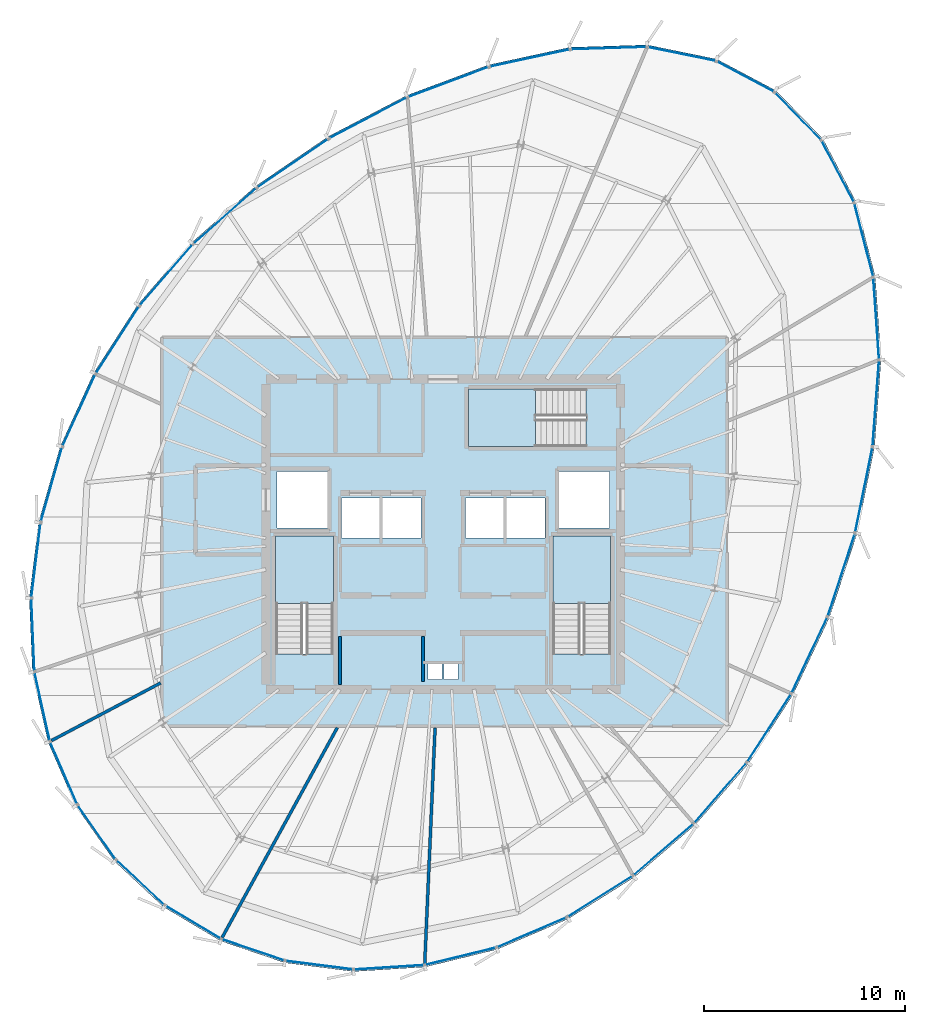
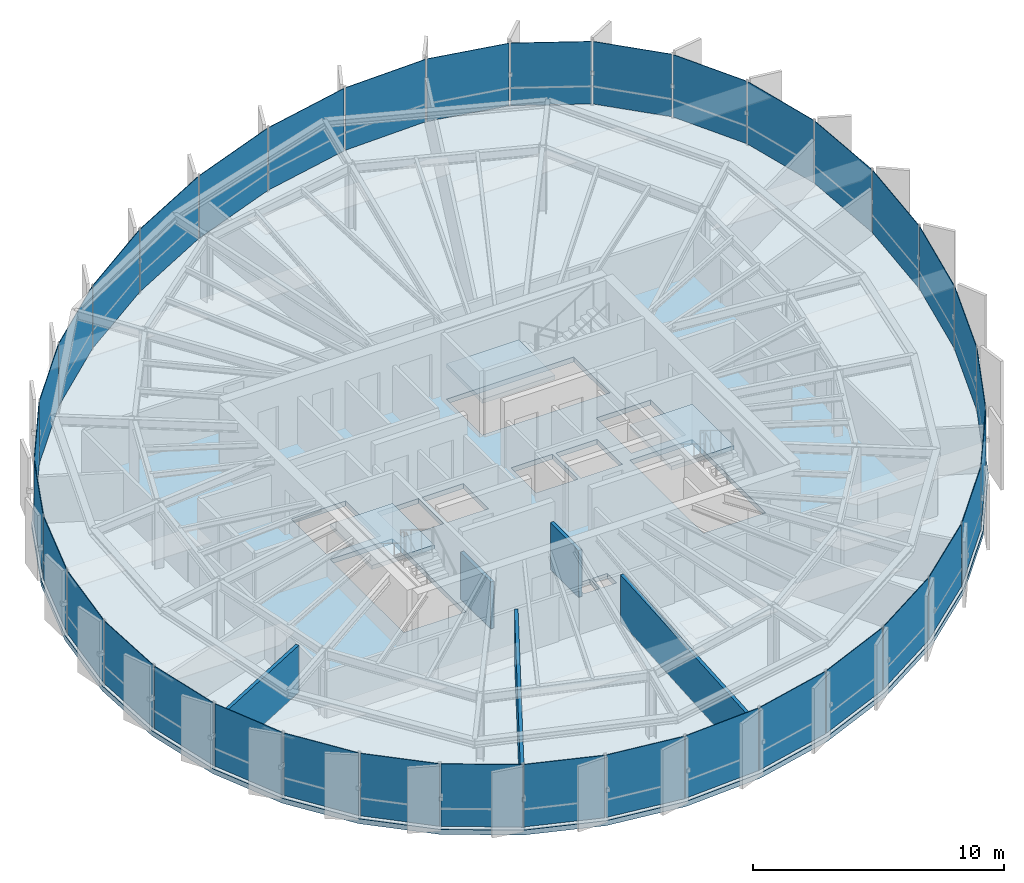
# One storey, part 28 of 35: 36 plates, 5 walls, 4 slabs, 9 elements without a shape of their own.
"""IFC4 building model written with IfcOpenShell, lengths in metres."""

from ifc_helpers import new_model, si_unit, direction, frame, frame_2d, origin, origin_2d, place, context, subcontext, project, spatial, polyline, rectangle, outline, extrude, source, transform, mapped, material, layer, layer_set, type_object, element, aggregate, save


model = new_model("IFC4")

# Units and contexts
model_context = context("Model", 3, precision=1e-05, world=origin(), true_north=direction((0.0, 1.0)))
body_context = subcontext(model_context, "Body", "Model", "MODEL_VIEW")
ifc_project = project(units=[si_unit("LENGTHUNIT", "METRE"), si_unit("AREAUNIT", "SQUARE_METRE"), si_unit("VOLUMEUNIT", "CUBIC_METRE"), si_unit("PLANEANGLEUNIT", "RADIAN"), si_unit("MASSUNIT", "GRAM", prefix="KILO"), si_unit("THERMODYNAMICTEMPERATUREUNIT", "KELVIN")], contexts=[model_context])

# Site, building, storey
site_placement = place(None, origin())
site = spatial("IfcSite", under=ifc_project, at=site_placement, CompositionType="ELEMENT")
building_placement = place(site_placement, origin())
building = spatial("IfcBuilding", under=site, at=building_placement, Name="Kethvar Cultural Tower", CompositionType="ELEMENT")
storey_placement = place(building_placement, frame((0.0, 0.0, 249.10009765625)))
storey = spatial("IfcBuildingStorey", under=building, at=storey_placement, Name="L65", CompositionType="ELEMENT", Elevation=249.10009765625)

# Stair, slab
ifc_material_1 = material(Name="Concrete C40/50", Category="concrete")
stair_type = type_object("IfcStairType", Name="ST-DOGLEG-135", PredefinedType="HALF_TURN_STAIR", material=ifc_material_1)
stair_1_placement = place(storey_placement, origin())
stair_1 = element("IfcStair", 1, at=stair_1_placement, inside=storey, type_object=stair_type, Name="L65 Core Exit Stair 1", PredefinedType="HALF_TURN_STAIR")
ifc_layer_1 = layer(ifc_material_1, 0.199951171875, Name="Concrete C40/50", Category="concrete")
ifc_layer_set_1 = layer_set([ifc_layer_1], Name="Concrete C40/50 (200 mm)")
slab_type_1 = type_object("IfcSlabType", Name="SL-STAIR-LANDING-200", PredefinedType="LANDING", material=ifc_layer_set_1)
slab_1_placement = place(storey_placement, frame((0.0, 0.0, 1.52490234375)))
slab_1 = element("IfcSlab", 2, at=slab_1_placement, type_object=slab_type_1, Name="ST-01 landing 1", PredefinedType="LANDING", context=body_context, shape_type="SweptSolid", body=[
    extrude(outline(polyline([(41.35009765625, 24.3701171875), (41.35009765625, 27.699951171875), (38.489990234375, 27.699951171875), (38.489990234375, 24.3701171875), (41.35009765625, 24.3701171875)])), origin(), (0.0, 0.0, 1.0), 0.199951171875),
])
aggregate(stair_1, [slab_1])

stair_2_placement = place(storey_placement, origin())
stair_2 = element("IfcStair", 3, at=stair_2_placement, inside=storey, type_object=stair_type, Name="L65 Core Exit Stair 2", PredefinedType="HALF_TURN_STAIR")
slab_2_placement = place(storey_placement, frame((0.0, 0.0, 1.52490234375)))
slab_2 = element("IfcSlab", 4, at=slab_2_placement, type_object=slab_type_1, Name="ST-02 landing 1", PredefinedType="LANDING", context=body_context, shape_type="SweptSolid", body=[
    extrude(outline(polyline([(55.110107421875, 24.3701171875), (55.110107421875, 27.699951171875), (52.25, 27.699951171875), (52.25, 24.3701171875), (55.110107421875, 24.3701171875)])), origin(), (0.0, 0.0, 1.0), 0.199951171875),
])
aggregate(stair_2, [slab_2])

stair_3_placement = place(storey_placement, origin())
stair_3 = element("IfcStair", 5, at=stair_3_placement, inside=storey, type_object=stair_type, Name="L65 Core Exit Stair 3", PredefinedType="HALF_TURN_STAIR")
slab_3_placement = place(storey_placement, frame((0.0, 0.0, 1.52490234375)))
slab_3 = element("IfcSlab", 6, at=slab_3_placement, type_object=slab_type_1, Name="ST-03 landing 1", PredefinedType="LANDING", context=body_context, shape_type="SweptSolid", body=[
    extrude(outline(polyline([(51.3798828125, 35.010009765625), (48.050048828125, 35.010009765625), (48.050048828125, 32.14990234375), (51.3798828125, 32.14990234375), (51.3798828125, 35.010009765625)])), origin(), (0.0, 0.0, 1.0), 0.199951171875),
])
aggregate(stair_3, [slab_3])

# Slab
ifc_layer_2 = layer(ifc_material_1, 0.239990234375, Name="Concrete C40/50", Category="concrete")
ifc_layer_set_2 = layer_set([ifc_layer_2], Name="Concrete C40/50 (240 mm)")
slab_type_2 = type_object("IfcSlabType", Name="SL-TOW-240", PredefinedType="FLOOR", material=ifc_layer_set_2)
slab_4_placement = place(storey_placement, frame((0.0, 0.0, -0.239990234375)))
element("IfcSlab", 7, at=slab_4_placement, inside=storey, type_object=slab_type_2, Name="L65 Structural Floor Slab", PredefinedType="FLOOR", context=body_context, shape_type="SweptSolid", body=[
    extrude(outline(polyline([(63.328369140625, 49.813720703125), (60.38525390625, 51.377197265625), (56.9248046875, 52.0849609375), (53.089111328125, 51.96484375), (49.048583984375, 51.092529296875), (44.986572265625, 49.574462890625), (41.079833984375, 47.528076171875), (37.48291015625, 45.063720703125), (34.313232421875, 42.2666015625), (31.63818359375, 39.18359375), (29.457275390625, 35.79931640625), (27.80322265625, 32.171630859375), (26.726318359375, 28.4111328125), (26.259521484375, 24.632080078125), (26.41650390625, 20.949462890625), (27.193115234375, 17.474853515625), (28.5654296875, 14.31396484375), (30.49169921875, 11.562744140625), (32.91357421875, 9.304931640625), (35.75732421875, 7.609375), (38.9365234375, 6.527099609375), (42.35498046875, 6.091064453125), (45.908203125, 6.314697265625), (49.488525390625, 7.191162109375), (52.9873046875, 8.69384765625), (56.2978515625, 10.777099609375), (59.320068359375, 13.377685546875), (61.961669921875, 16.416259765625), (64.17578125, 19.844970703125), (65.9775390625, 23.669189453125), (67.340576171875, 27.810791015625), (68.2158203125, 32.133544921875), (68.540283203125, 36.457763671875), (68.250732421875, 40.5810546875), (67.2958984375, 44.298095703125), (65.65087890625, 47.423583984375), (63.328369140625, 49.813720703125)]), holes=[polyline([(38.489990234375, 21.85009765625), (38.489990234375, 27.699951171875), (41.35009765625, 27.699951171875), (41.35009765625, 21.85009765625), (38.489990234375, 21.85009765625)]), polyline([(52.25, 21.85009765625), (52.25, 27.699951171875), (55.110107421875, 27.699951171875), (55.110107421875, 21.85009765625), (52.25, 21.85009765625)]), polyline([(53.89990234375, 32.14990234375), (48.050048828125, 32.14990234375), (48.050048828125, 35.010009765625), (53.89990234375, 35.010009765625), (53.89990234375, 32.14990234375)]), polyline([(41.75, 29.60009765625), (43.64990234375, 29.60009765625), (43.64990234375, 27.60009765625), (41.75, 27.60009765625), (41.75, 29.60009765625)]), polyline([(43.800048828125, 29.60009765625), (45.699951171875, 29.60009765625), (45.699951171875, 27.60009765625), (43.800048828125, 27.60009765625), (43.800048828125, 29.60009765625)]), polyline([(47.89990234375, 29.60009765625), (49.800048828125, 29.60009765625), (49.800048828125, 27.60009765625), (47.89990234375, 27.60009765625), (47.89990234375, 29.60009765625)]), polyline([(49.949951171875, 29.60009765625), (51.85009765625, 29.60009765625), (51.85009765625, 27.60009765625), (49.949951171875, 27.60009765625), (49.949951171875, 29.60009765625)]), polyline([(38.550048828125, 30.89990234375), (41.050048828125, 30.89990234375), (41.050048828125, 28.10009765625), (38.550048828125, 28.10009765625), (38.550048828125, 30.89990234375)]), polyline([(52.550048828125, 30.89990234375), (55.050048828125, 30.89990234375), (55.050048828125, 28.10009765625), (52.550048828125, 28.10009765625), (52.550048828125, 30.89990234375)]), polyline([(46.050048828125, 21.35009765625), (46.75, 21.35009765625), (46.75, 20.60009765625), (46.050048828125, 20.60009765625), (46.050048828125, 21.35009765625)]), polyline([(46.85009765625, 21.35009765625), (47.550048828125, 21.35009765625), (47.550048828125, 20.60009765625), (46.85009765625, 20.60009765625), (46.85009765625, 21.35009765625)])]), origin(), (0.0, 0.0, 1.0), 0.239990234375),
])

# Curtain wall, plate
ifc_material_2 = material(Name="Aluminium 6063-T6", Category="aluminium")
ifc_layer_3 = layer(ifc_material_2, 0.179931640625, Name="Aluminium 6063-T6", Category="aluminium")
ifc_layer_set_3 = layer_set([ifc_layer_3], Name="Aluminium 6063-T6 (180 mm)")
curtain_wall_type = type_object("IfcCurtainWallType", Name="CW-SYS-05-Z56", PredefinedType="NOTDEFINED", material=ifc_layer_set_3)
curtain_wall_1_placement = place(storey_placement, origin())
curtain_wall_1 = element("IfcCurtainWall", 8, at=curtain_wall_1_placement, inside=storey, type_object=curtain_wall_type, Name="L65 Curtain Wall Run 01", PredefinedType="NOTDEFINED")
ifc_material_3 = material(Name="Insulated Low-E Solar Glass", Category="glass")
ifc_layer_4 = layer(ifc_material_3, 0.028076171875, Name="Insulated Low-E Solar Glass", Category="glass")
ifc_layer_set_4 = layer_set([ifc_layer_4], Name="Insulated Low-E Solar Glass (28 mm)")
plate_type = type_object("IfcPlateType", Name="CW-SYS-05-Z56-PNL", PredefinedType="CURTAIN_PANEL", material=ifc_layer_set_4)
shared_shape_1 = source(origin(), body_context, "Body", "SweptSolid", [
    extrude(rectangle(XDim=3.25341796875, YDim=0.028076171875, at=origin_2d()), origin(), (0.0, 0.0, 1.0), 3.030029296875),
])
plate_1_placement = place(storey_placement, frame((61.809814453125, 50.507080078125, 0.08984375), z_axis=(0.0, 0.0, 1.0), x_axis=(-0.883103226974, 0.469178740468, 0.0)))
plate_1 = element("IfcPlate", 9, at=plate_1_placement, type_object=plate_type, Name="CW-L65-R01 Vision Glazing Panel 1", PredefinedType="CURTAIN_PANEL", context=body_context, shape_type="MappedRepresentation", body=[
    mapped(shared_shape_1, transform((0.0, 0.0, 0.0), scale=1.0)),
])

curtain_wall_2_placement = place(storey_placement, origin())
curtain_wall_2 = element("IfcCurtainWall", 10, at=curtain_wall_2_placement, inside=storey, type_object=curtain_wall_type, Name="L65 Curtain Wall Run 06", PredefinedType="NOTDEFINED")
plate_2_placement = place(storey_placement, frame((64.41796875, 48.548828125, 0.08984375), z_axis=(0.0, 0.0, 1.0), x_axis=(-0.696939844345, 0.717129593145, 0.0)))
plate_2 = element("IfcPlate", 11, at=plate_2_placement, type_object=plate_type, Name="CW-L65-R06 Vision Glazing Panel 6", PredefinedType="CURTAIN_PANEL", context=body_context, shape_type="MappedRepresentation", body=[
    mapped(shared_shape_1, transform((0.0, 0.0, 0.0), scale=1.0)),
])

# Plate
shared_shape_2 = source(origin(), body_context, "Body", "SweptSolid", [
    extrude(rectangle(XDim=3.452880859375, YDim=0.028076171875, at=origin_2d()), origin(), (0.0, 0.0, 1.0), 3.030029296875),
])
plate_3_placement = place(storey_placement, frame((58.635009765625, 51.633056640625, 0.08984375), z_axis=(0.0, 0.0, 1.0), x_axis=(-0.979722384216, 0.200359801024, 0.0)))
plate_3 = element("IfcPlate", 12, at=plate_3_placement, type_object=plate_type, Name="CW-L65-R01 Vision Glazing Panel 2", PredefinedType="CURTAIN_PANEL", context=body_context, shape_type="MappedRepresentation", body=[
    mapped(shared_shape_2, transform((0.0, 0.0, 0.0), scale=1.0)),
])

plate_4_placement = place(storey_placement, frame((66.385009765625, 45.814208984375, 0.08984375), z_axis=(0.0, 0.0, 1.0), x_axis=(-0.465722638487, 0.884930745313, 0.0)))
plate_4 = element("IfcPlate", 13, at=plate_4_placement, type_object=plate_type, Name="CW-L65-R06 Vision Glazing Panel 5", PredefinedType="CURTAIN_PANEL", context=body_context, shape_type="MappedRepresentation", body=[
    mapped(shared_shape_2, transform((0.0, 0.0, 0.0), scale=1.0)),
])

shared_shape_3 = source(origin(), body_context, "Body", "SweptSolid", [
    extrude(rectangle(XDim=3.75830078125, YDim=0.028076171875, at=origin_2d()), origin(), (0.0, 0.0, 1.0), 3.030029296875),
])
plate_5_placement = place(storey_placement, frame((55.010009765625, 51.9248046875, 0.08984375), z_axis=(0.0, 0.0, 1.0), x_axis=(-0.999510390454, -0.031288646081, 0.0)))
plate_5 = element("IfcPlate", 14, at=plate_5_placement, type_object=plate_type, Name="CW-L65-R01 Vision Glazing Panel 3", PredefinedType="CURTAIN_PANEL", context=body_context, shape_type="MappedRepresentation", body=[
    mapped(shared_shape_3, transform((0.0, 0.0, 0.0), scale=1.0)),
])

plate_6_placement = place(storey_placement, frame((67.676513671875, 42.414794921875, 0.08984375), z_axis=(0.0, 0.0, 1.0), x_axis=(-0.248808220065, 0.968552770699, 0.0)))
plate_6 = element("IfcPlate", 15, at=plate_6_placement, type_object=plate_type, Name="CW-L65-R06 Vision Glazing Panel 4", PredefinedType="CURTAIN_PANEL", context=body_context, shape_type="MappedRepresentation", body=[
    mapped(shared_shape_3, transform((0.0, 0.0, 0.0), scale=1.0)),
])

shared_shape_4 = source(origin(), body_context, "Body", "SweptSolid", [
    extrude(rectangle(XDim=4.05419921875, YDim=0.028076171875, at=origin_2d()), origin(), (0.0, 0.0, 1.0), 3.030029296875),
])
plate_7_placement = place(storey_placement, frame((51.090087890625, 51.430908203125, 0.08984375), z_axis=(0.0, 0.0, 1.0), x_axis=(-0.977478552591, -0.211034782024, 0.0)))
plate_7 = element("IfcPlate", 16, at=plate_7_placement, type_object=plate_type, Name="CW-L65-R01 Vision Glazing Panel 4", PredefinedType="CURTAIN_PANEL", context=body_context, shape_type="MappedRepresentation", body=[
    mapped(shared_shape_4, transform((0.0, 0.0, 0.0), scale=1.0)),
])

plate_8_placement = place(storey_placement, frame((68.295654296875, 38.512451171875, 0.08984375), z_axis=(0.0, 0.0, 1.0), x_axis=(-0.070035043455, 0.997544531682, 0.0)))
plate_8 = element("IfcPlate", 17, at=plate_8_placement, type_object=plate_type, Name="CW-L65-R06 Vision Glazing Panel 3", PredefinedType="CURTAIN_PANEL", context=body_context, shape_type="MappedRepresentation", body=[
    mapped(shared_shape_4, transform((0.0, 0.0, 0.0), scale=1.0)),
])

shared_shape_5 = source(origin(), body_context, "Body", "SweptSolid", [
    extrude(rectangle(XDim=4.25732421875, YDim=0.028076171875, at=origin_2d()), origin(), (0.0, 0.0, 1.0), 3.030029296875),
])
plate_9_placement = place(storey_placement, frame((47.052490234375, 50.23974609375, 0.08984375), z_axis=(0.0, 0.0, 1.0), x_axis=(-0.936721078293, -0.350076593736, 0.0)))
plate_9 = element("IfcPlate", 18, at=plate_9_placement, type_object=plate_type, Name="CW-L65-R01 Vision Glazing Panel 5", PredefinedType="CURTAIN_PANEL", context=body_context, shape_type="MappedRepresentation", body=[
    mapped(shared_shape_5, transform((0.0, 0.0, 0.0), scale=1.0)),
])

shared_shape_6 = source(origin(), body_context, "Body", "SweptSolid", [
    extrude(rectangle(XDim=4.3310546875, YDim=0.028076171875, at=origin_2d()), origin(), (0.0, 0.0, 1.0), 3.030029296875),
])
plate_10_placement = place(storey_placement, frame((43.07958984375, 48.462646484375, 0.08984375), z_axis=(0.0, 0.0, 1.0), x_axis=(-0.885839434086, -0.46399191482, 0.0)))
plate_10 = element("IfcPlate", 19, at=plate_10_placement, type_object=plate_type, Name="CW-L65-R01 Vision Glazing Panel 6", PredefinedType="CURTAIN_PANEL", context=body_context, shape_type="MappedRepresentation", body=[
    mapped(shared_shape_6, transform((0.0, 0.0, 0.0), scale=1.0)),
])

aggregate(curtain_wall_1, [plate_1, plate_3, plate_5, plate_7, plate_9, plate_10])

plate_11_placement = place(storey_placement, frame((67.68017578125, 29.991943359375, 0.08984375), z_axis=(0.0, 0.0, 1.0), x_axis=(0.198427182518, 0.980115632585, 0.0)))
plate_11 = element("IfcPlate", 20, at=plate_11_placement, type_object=plate_type, Name="CW-L65-R06 Vision Glazing Panel 1", PredefinedType="CURTAIN_PANEL", context=body_context, shape_type="MappedRepresentation", body=[
    mapped(shared_shape_6, transform((0.0, 0.0, 0.0), scale=1.0)),
])

# Curtain wall, plate
curtain_wall_3_placement = place(storey_placement, origin())
curtain_wall_3 = element("IfcCurtainWall", 21, at=curtain_wall_3_placement, inside=storey, type_object=curtain_wall_type, Name="L65 Curtain Wall Run 02", PredefinedType="NOTDEFINED")
shared_shape_7 = source(origin(), body_context, "Body", "SweptSolid", [
    extrude(rectangle(XDim=4.281005859375, YDim=0.028076171875, at=origin_2d()), origin(), (0.0, 0.0, 1.0), 3.030029296875),
])
plate_12_placement = place(storey_placement, frame((39.337890625, 46.21337890625, 0.08984375), z_axis=(0.0, 0.0, 1.0), x_axis=(-0.824945832877, -0.565211794656, 0.0)))
plate_12 = element("IfcPlate", 22, at=plate_12_placement, type_object=plate_type, Name="CW-L65-R02 Vision Glazing Panel 1", PredefinedType="CURTAIN_PANEL", context=body_context, shape_type="MappedRepresentation", body=[
    mapped(shared_shape_7, transform((0.0, 0.0, 0.0), scale=1.0)),
])

curtain_wall_4_placement = place(storey_placement, origin())
curtain_wall_4 = element("IfcCurtainWall", 23, at=curtain_wall_4_placement, inside=storey, type_object=curtain_wall_type, Name="L65 Curtain Wall Run 05", PredefinedType="NOTDEFINED")
plate_13_placement = place(storey_placement, frame((66.564208984375, 25.771240234375, 0.08984375), z_axis=(0.0, 0.0, 1.0), x_axis=(0.312616767142, 0.949879338075, 0.0)))
plate_13 = element("IfcPlate", 24, at=plate_13_placement, type_object=plate_type, Name="CW-L65-R05 Vision Glazing Panel 6", PredefinedType="CURTAIN_PANEL", context=body_context, shape_type="MappedRepresentation", body=[
    mapped(shared_shape_7, transform((0.0, 0.0, 0.0), scale=1.0)),
])

# Plate
shared_shape_8 = source(origin(), body_context, "Body", "SweptSolid", [
    extrude(rectangle(XDim=4.14794921875, YDim=0.028076171875, at=origin_2d()), origin(), (0.0, 0.0, 1.0), 3.030029296875),
])
plate_14_placement = place(storey_placement, frame((35.964111328125, 43.590087890625, 0.08984375), z_axis=(0.0, 0.0, 1.0), x_axis=(-0.74979935048, -0.661665273397, 0.0)))
plate_14 = element("IfcPlate", 25, at=plate_14_placement, type_object=plate_type, Name="CW-L65-R02 Vision Glazing Panel 2", PredefinedType="CURTAIN_PANEL", context=body_context, shape_type="MappedRepresentation", body=[
    mapped(shared_shape_8, transform((0.0, 0.0, 0.0), scale=1.0)),
])

shared_shape_9 = source(origin(), body_context, "Body", "SweptSolid", [
    extrude(rectangle(XDim=4.00244140625, YDim=0.028076171875, at=origin_2d()), origin(), (0.0, 0.0, 1.0), 3.030029296875),
])
plate_15_placement = place(storey_placement, frame((33.05126953125, 40.65966796875, 0.08984375), z_axis=(0.0, 0.0, 1.0), x_axis=(-0.65536062355, -0.755316127923, 0.0)))
plate_15 = element("IfcPlate", 26, at=plate_15_placement, type_object=plate_type, Name="CW-L65-R02 Vision Glazing Panel 3", PredefinedType="CURTAIN_PANEL", context=body_context, shape_type="MappedRepresentation", body=[
    mapped(shared_shape_9, transform((0.0, 0.0, 0.0), scale=1.0)),
])

shared_shape_10 = source(origin(), body_context, "Body", "SweptSolid", [
    extrude(rectangle(XDim=3.947021484375, YDim=0.028076171875, at=origin_2d()), origin(), (0.0, 0.0, 1.0), 3.030029296875),
])
plate_16_placement = place(storey_placement, frame((30.6318359375, 37.437255859375, 0.08984375), z_axis=(0.0, 0.0, 1.0), x_axis=(-0.541678868643, -0.840585512167, 0.0)))
plate_16 = element("IfcPlate", 27, at=plate_16_placement, type_object=plate_type, Name="CW-L65-R02 Vision Glazing Panel 4", PredefinedType="CURTAIN_PANEL", context=body_context, shape_type="MappedRepresentation", body=[
    mapped(shared_shape_10, transform((0.0, 0.0, 0.0), scale=1.0)),
])

shared_shape_11 = source(origin(), body_context, "Body", "SweptSolid", [
    extrude(rectangle(XDim=3.90771484375, YDim=0.028076171875, at=origin_2d()), origin(), (0.0, 0.0, 1.0), 3.030029296875),
])
plate_17_placement = place(storey_placement, frame((28.72119140625, 33.94384765625, 0.08984375), z_axis=(0.0, 0.0, 1.0), x_axis=(-0.414883815403, -0.90987439777, 0.0)))
plate_17 = element("IfcPlate", 28, at=plate_17_placement, type_object=plate_type, Name="CW-L65-R02 Vision Glazing Panel 5", PredefinedType="CURTAIN_PANEL", context=body_context, shape_type="MappedRepresentation", body=[
    mapped(shared_shape_11, transform((0.0, 0.0, 0.0), scale=1.0)),
])

plate_18_placement = place(storey_placement, frame((57.743896484375, 12.1533203125, 0.08984375), z_axis=(0.0, 0.0, 1.0), x_axis=(0.757997744401, 0.652257172811, 0.0)))
plate_18 = element("IfcPlate", 29, at=plate_18_placement, type_object=plate_type, Name="CW-L65-R05 Vision Glazing Panel 2", PredefinedType="CURTAIN_PANEL", context=body_context, shape_type="MappedRepresentation", body=[
    mapped(shared_shape_11, transform((0.0, 0.0, 0.0), scale=1.0)),
])

shared_shape_12 = source(origin(), body_context, "Body", "SweptSolid", [
    extrude(rectangle(XDim=3.83251953125, YDim=0.028076171875, at=origin_2d()), origin(), (0.0, 0.0, 1.0), 3.030029296875),
])
plate_19_placement = place(storey_placement, frame((27.36083984375, 30.263916015625, 0.08984375), z_axis=(0.0, 0.0, 1.0), x_axis=(-0.275285016498, -0.961362657737, 0.0)))
plate_19 = element("IfcPlate", 30, at=plate_19_placement, type_object=plate_type, Name="CW-L65-R02 Vision Glazing Panel 6", PredefinedType="CURTAIN_PANEL", context=body_context, shape_type="MappedRepresentation", body=[
    mapped(shared_shape_12, transform((0.0, 0.0, 0.0), scale=1.0)),
])

aggregate(curtain_wall_3, [plate_12, plate_14, plate_15, plate_16, plate_17, plate_19])

# Curtain wall, plate
curtain_wall_5_placement = place(storey_placement, origin())
curtain_wall_5 = element("IfcCurtainWall", 31, at=curtain_wall_5_placement, inside=storey, type_object=curtain_wall_type, Name="L65 Curtain Wall Run 03", PredefinedType="NOTDEFINED")
shared_shape_13 = source(origin(), body_context, "Body", "SweptSolid", [
    extrude(rectangle(XDim=3.728515625, YDim=0.028076171875, at=origin_2d()), origin(), (0.0, 0.0, 1.0), 3.030029296875),
])
plate_20_placement = place(storey_placement, frame((26.592041015625, 26.50927734375, 0.08984375), z_axis=(0.0, 0.0, 1.0), x_axis=(-0.122648849662, -0.992450129567, 0.0)))
plate_20 = element("IfcPlate", 32, at=plate_20_placement, type_object=plate_type, Name="CW-L65-R03 Vision Glazing Panel 1", PredefinedType="CURTAIN_PANEL", context=body_context, shape_type="MappedRepresentation", body=[
    mapped(shared_shape_13, transform((0.0, 0.0, 0.0), scale=1.0)),
])

curtain_wall_6_placement = place(storey_placement, origin())
curtain_wall_6 = element("IfcCurtainWall", 33, at=curtain_wall_6_placement, inside=storey, type_object=curtain_wall_type, Name="L65 Curtain Wall Run 04", PredefinedType="NOTDEFINED")
plate_21_placement = place(storey_placement, frame((51.1982421875, 8.034423828125, 0.08984375), z_axis=(0.0, 0.0, 1.0), x_axis=(0.918832542591, 0.394647638629, 0.0)))
plate_21 = element("IfcPlate", 34, at=plate_21_placement, type_object=plate_type, Name="CW-L65-R04 Vision Glazing Panel 6", PredefinedType="CURTAIN_PANEL", context=body_context, shape_type="MappedRepresentation", body=[
    mapped(shared_shape_13, transform((0.0, 0.0, 0.0), scale=1.0)),
])

# Plate
shared_shape_14 = source(origin(), body_context, "Body", "SweptSolid", [
    extrude(rectangle(XDim=3.60693359375, YDim=0.028076171875, at=origin_2d()), origin(), (0.0, 0.0, 1.0), 3.030029296875),
])
plate_22_placement = place(storey_placement, frame((26.43798828125, 22.794921875, 0.08984375), z_axis=(0.0, 0.0, 1.0), x_axis=(0.042642912559, -0.999090377298, 0.0)))
plate_22 = element("IfcPlate", 35, at=plate_22_placement, type_object=plate_type, Name="CW-L65-R03 Vision Glazing Panel 2", PredefinedType="CURTAIN_PANEL", context=body_context, shape_type="MappedRepresentation", body=[
    mapped(shared_shape_14, transform((0.0, 0.0, 0.0), scale=1.0)),
])

plate_23_placement = place(storey_placement, frame((47.674560546875, 6.85009765625, 0.08984375), z_axis=(0.0, 0.0, 1.0), x_axis=(0.971317174079, 0.237787609726, 0.0)))
plate_23 = element("IfcPlate", 36, at=plate_23_placement, type_object=plate_type, Name="CW-L65-R04 Vision Glazing Panel 5", PredefinedType="CURTAIN_PANEL", context=body_context, shape_type="MappedRepresentation", body=[
    mapped(shared_shape_14, transform((0.0, 0.0, 0.0), scale=1.0)),
])

shared_shape_15 = source(origin(), body_context, "Body", "SweptSolid", [
    extrude(rectangle(XDim=3.481201171875, YDim=0.028076171875, at=origin_2d()), origin(), (0.0, 0.0, 1.0), 3.030029296875),
])
plate_24_placement = place(storey_placement, frame((26.902587890625, 19.23388671875, 0.08984375), z_axis=(0.0, 0.0, 1.0), x_axis=(0.218126208403, -0.975920569108, 0.0)))
plate_24 = element("IfcPlate", 37, at=plate_24_placement, type_object=plate_type, Name="CW-L65-R03 Vision Glazing Panel 3", PredefinedType="CURTAIN_PANEL", context=body_context, shape_type="MappedRepresentation", body=[
    mapped(shared_shape_15, transform((0.0, 0.0, 0.0), scale=1.0)),
])

plate_25_placement = place(storey_placement, frame((44.125244140625, 6.302490234375, 0.08984375), z_axis=(0.0, 0.0, 1.0), x_axis=(0.998024536018, 0.062825357196, 0.0)))
plate_25 = element("IfcPlate", 38, at=plate_25_placement, type_object=plate_type, Name="CW-L65-R04 Vision Glazing Panel 4", PredefinedType="CURTAIN_PANEL", context=body_context, shape_type="MappedRepresentation", body=[
    mapped(shared_shape_15, transform((0.0, 0.0, 0.0), scale=1.0)),
])

shared_shape_16 = source(origin(), body_context, "Body", "SweptSolid", [
    extrude(rectangle(XDim=3.36669921875, YDim=0.028076171875, at=origin_2d()), origin(), (0.0, 0.0, 1.0), 3.030029296875),
])
plate_26_placement = place(storey_placement, frame((27.970947265625, 15.93408203125, 0.08984375), z_axis=(0.0, 0.0, 1.0), x_axis=(0.398204804347, -0.917296535366, 0.0)))
plate_26 = element("IfcPlate", 39, at=plate_26_placement, type_object=plate_type, Name="CW-L65-R03 Vision Glazing Panel 4", PredefinedType="CURTAIN_PANEL", context=body_context, shape_type="MappedRepresentation", body=[
    mapped(shared_shape_16, transform((0.0, 0.0, 0.0), scale=1.0)),
])

shared_shape_17 = source(origin(), body_context, "Body", "SweptSolid", [
    extrude(rectangle(XDim=3.279296875, YDim=0.028076171875, at=origin_2d()), origin(), (0.0, 0.0, 1.0), 3.030029296875),
])
plate_27_placement = place(storey_placement, frame((29.610595703125, 12.99560546875, 0.08984375), z_axis=(0.0, 0.0, 1.0), x_axis=(0.573590733164, -0.819142033367, 0.0)))
plate_27 = element("IfcPlate", 40, at=plate_27_placement, type_object=plate_type, Name="CW-L65-R03 Vision Glazing Panel 5", PredefinedType="CURTAIN_PANEL", context=body_context, shape_type="MappedRepresentation", body=[
    mapped(shared_shape_17, transform((0.0, 0.0, 0.0), scale=1.0)),
])

plate_28_placement = place(storey_placement, frame((37.379150390625, 7.162841796875, 0.08984375), z_axis=(0.0, 0.0, 1.0), x_axis=(0.946649260116, -0.322265695231, 0.0)))
plate_28 = element("IfcPlate", 41, at=plate_28_placement, type_object=plate_type, Name="CW-L65-R04 Vision Glazing Panel 2", PredefinedType="CURTAIN_PANEL", context=body_context, shape_type="MappedRepresentation", body=[
    mapped(shared_shape_17, transform((0.0, 0.0, 0.0), scale=1.0)),
])

shared_shape_18 = source(origin(), body_context, "Body", "SweptSolid", [
    extrude(rectangle(XDim=3.231689453125, YDim=0.028076171875, at=origin_2d()), origin(), (0.0, 0.0, 1.0), 3.030029296875),
])
plate_29_placement = place(storey_placement, frame((31.77099609375, 10.507080078125, 0.08984375), z_axis=(0.0, 0.0, 1.0), x_axis=(0.731437017979, -0.681909003262, 0.0)))
plate_29 = element("IfcPlate", 42, at=plate_29_placement, type_object=plate_type, Name="CW-L65-R03 Vision Glazing Panel 6", PredefinedType="CURTAIN_PANEL", context=body_context, shape_type="MappedRepresentation", body=[
    mapped(shared_shape_18, transform((0.0, 0.0, 0.0), scale=1.0)),
])

aggregate(curtain_wall_5, [plate_20, plate_22, plate_24, plate_26, plate_27, plate_29])

plate_30_placement = place(storey_placement, frame((34.38671875, 8.54296875, 0.08984375), z_axis=(0.0, 0.0, 1.0), x_axis=(0.858897332683, -0.512147802797, 0.0)))
plate_30 = element("IfcPlate", 43, at=plate_30_placement, type_object=plate_type, Name="CW-L65-R04 Vision Glazing Panel 1", PredefinedType="CURTAIN_PANEL", context=body_context, shape_type="MappedRepresentation", body=[
    mapped(shared_shape_18, transform((0.0, 0.0, 0.0), scale=1.0)),
])

shared_shape_19 = source(origin(), body_context, "Body", "SweptSolid", [
    extrude(rectangle(XDim=3.366943359375, YDim=0.028076171875, at=origin_2d()), origin(), (0.0, 0.0, 1.0), 3.030029296875),
])
plate_31_placement = place(storey_placement, frame((40.658447265625, 6.408203125, 0.08984375), z_axis=(0.0, 0.0, 1.0), x_axis=(0.991963045974, -0.12652792349, 0.0)))
plate_31 = element("IfcPlate", 44, at=plate_31_placement, type_object=plate_type, Name="CW-L65-R04 Vision Glazing Panel 3", PredefinedType="CURTAIN_PANEL", context=body_context, shape_type="MappedRepresentation", body=[
    mapped(shared_shape_19, transform((0.0, 0.0, 0.0), scale=1.0)),
])

aggregate(curtain_wall_6, [plate_30, plate_28, plate_31, plate_25, plate_23, plate_21])

shared_shape_20 = source(origin(), body_context, "Body", "SweptSolid", [
    extrude(rectangle(XDim=3.832275390625, YDim=0.028076171875, at=origin_2d()), origin(), (0.0, 0.0, 1.0), 3.030029296875),
])
plate_32_placement = place(storey_placement, frame((54.58935546875, 9.820068359375, 0.08984375), z_axis=(0.0, 0.0, 1.0), x_axis=(0.846388418642, 0.532566094291, 0.0)))
plate_32 = element("IfcPlate", 45, at=plate_32_placement, type_object=plate_type, Name="CW-L65-R05 Vision Glazing Panel 1", PredefinedType="CURTAIN_PANEL", context=body_context, shape_type="MappedRepresentation", body=[
    mapped(shared_shape_20, transform((0.0, 0.0, 0.0), scale=1.0)),
])

shared_shape_21 = source(origin(), body_context, "Body", "SweptSolid", [
    extrude(rectangle(XDim=3.947265625, YDim=0.028076171875, at=origin_2d()), origin(), (0.0, 0.0, 1.0), 3.030029296875),
])
plate_33_placement = place(storey_placement, frame((60.5654296875, 14.962646484375, 0.08984375), z_axis=(0.0, 0.0, 1.0), x_axis=(0.656085372925, 0.754686678983, 0.0)))
plate_33 = element("IfcPlate", 46, at=plate_33_placement, type_object=plate_type, Name="CW-L65-R05 Vision Glazing Panel 3", PredefinedType="CURTAIN_PANEL", context=body_context, shape_type="MappedRepresentation", body=[
    mapped(shared_shape_21, transform((0.0, 0.0, 0.0), scale=1.0)),
])

shared_shape_22 = source(origin(), body_context, "Body", "SweptSolid", [
    extrude(rectangle(XDim=4.002197265625, YDim=0.028076171875, at=origin_2d()), origin(), (0.0, 0.0, 1.0), 3.030029296875),
])
plate_34_placement = place(storey_placement, frame((62.98486328125, 18.184814453125, 0.08984375), z_axis=(0.0, 0.0, 1.0), x_axis=(0.542500184935, 0.840055682288, 0.0)))
plate_34 = element("IfcPlate", 47, at=plate_34_placement, type_object=plate_type, Name="CW-L65-R05 Vision Glazing Panel 4", PredefinedType="CURTAIN_PANEL", context=body_context, shape_type="MappedRepresentation", body=[
    mapped(shared_shape_22, transform((0.0, 0.0, 0.0), scale=1.0)),
])

shared_shape_23 = source(origin(), body_context, "Body", "SweptSolid", [
    extrude(rectangle(XDim=4.148193359375, YDim=0.028076171875, at=origin_2d()), origin(), (0.0, 0.0, 1.0), 3.030029296875),
])
plate_35_placement = place(storey_placement, frame((64.986083984375, 21.7998046875, 0.08984375), z_axis=(0.0, 0.0, 1.0), x_axis=(0.426174056302, 0.904641185076, 0.0)))
plate_35 = element("IfcPlate", 48, at=plate_35_placement, type_object=plate_type, Name="CW-L65-R05 Vision Glazing Panel 5", PredefinedType="CURTAIN_PANEL", context=body_context, shape_type="MappedRepresentation", body=[
    mapped(shared_shape_23, transform((0.0, 0.0, 0.0), scale=1.0)),
])

aggregate(curtain_wall_4, [plate_32, plate_18, plate_33, plate_34, plate_35, plate_13])

shared_shape_24 = source(origin(), body_context, "Body", "SweptSolid", [
    extrude(rectangle(XDim=4.257080078125, YDim=0.028076171875, at=origin_2d()), origin(), (0.0, 0.0, 1.0), 3.030029296875),
])
plate_36_placement = place(storey_placement, frame((68.2783203125, 34.30322265625, 0.08984375), z_axis=(0.0, 0.0, 1.0), x_axis=(0.074822088427, 0.997196898854, 0.0)))
plate_36 = element("IfcPlate", 49, at=plate_36_placement, type_object=plate_type, Name="CW-L65-R06 Vision Glazing Panel 2", PredefinedType="CURTAIN_PANEL", context=body_context, shape_type="MappedRepresentation", body=[
    mapped(shared_shape_24, transform((0.0, 0.0, 0.0), scale=1.0)),
])

aggregate(curtain_wall_2, [plate_11, plate_36, plate_8, plate_6, plate_4, plate_2])

# Walls
ifc_material_4 = material(Name="Gypsum Fireboard Partition")
ifc_layer_5 = layer(ifc_material_4, 0.14990234375, Name="Gypsum Fireboard Partition")
ifc_layer_set_5 = layer_set([ifc_layer_5], Name="Gypsum Fireboard Partition (150 mm)")
wall_type_1 = type_object("IfcWallType", Name="WL-FIRE-150", PredefinedType="PARTITIONING", material=ifc_layer_set_5)
wall_1_placement = place(storey_placement, frame((45.800048828125, 20.47998046875, 0.0), z_axis=(0.0, 0.0, 1.0), x_axis=(0.0, 1.0, 0.0)))
element("IfcWall", 50, at=wall_1_placement, inside=storey, type_object=wall_type_1, Name="L65 Core Riser West Wall", PredefinedType="PARTITIONING", context=body_context, shape_type="SweptSolid", body=[
    extrude(rectangle(XDim=2.239990234375, YDim=0.14990234375, at=frame_2d((1.1201171875, 0.0))), origin(), (0.0, 0.0, 1.0), 2.27978515625),
])
wall_2_placement = place(storey_placement, frame((41.679931640625, 20.3349609375, 0.0), z_axis=(0.0, 0.0, 1.0), x_axis=(0.0, 1.0, 0.0)))
element("IfcWall", 51, at=wall_2_placement, inside=storey, type_object=wall_type_1, Name="L65 Reclaimed West Outer Wall", PredefinedType="PARTITIONING", context=body_context, shape_type="SweptSolid", body=[
    extrude(rectangle(XDim=2.39501953125, YDim=0.14990234375, at=frame_2d((1.197509765625, 0.0))), origin(), (0.0, 0.0, 1.0), 2.27978515625),
])
ifc_material_5 = material(Name="Gypsum Acoustic Partition")
ifc_layer_6 = layer(ifc_material_5, 0.14990234375, Name="Gypsum Acoustic Partition")
ifc_layer_set_6 = layer_set([ifc_layer_6], Name="Gypsum Acoustic Partition (150 mm)")
wall_type_2 = type_object("IfcWallType", Name="WL-PART-150", PredefinedType="PARTITIONING", material=ifc_layer_set_6)
wall_3_placement = place(storey_placement, frame((32.779296875, 20.41650390625, 0.0), z_axis=(0.0, 0.0, 1.0), x_axis=(-0.884246196303, -0.467021053406, 0.0)))
element("IfcWall", 52, at=wall_3_placement, inside=storey, type_object=wall_type_2, Name="L65 Radial Partition Wall 02", PredefinedType="PARTITIONING", context=body_context, shape_type="SweptSolid", body=[
    extrude(rectangle(XDim=6.12353515625, YDim=0.14990234375, at=frame_2d((3.061767578125, 0.0))), origin(), (0.0, 0.0, 1.0), 2.27978515625),
])
wall_4_placement = place(storey_placement, frame((41.548828125, 18.198974609375, 0.0), z_axis=(0.0, 0.0, 1.0), x_axis=(-0.481079238788, -0.876677116165, 0.0)))
element("IfcWall", 53, at=wall_4_placement, inside=storey, type_object=wall_type_2, Name="L65 Radial Partition Wall 03", PredefinedType="PARTITIONING", context=body_context, shape_type="SweptSolid", body=[
    extrude(rectangle(XDim=11.88134765625, YDim=0.14990234375, at=frame_2d((5.940673828125, 0.0))), origin(), (0.0, 0.0, 1.0), 2.27978515625),
])
wall_5_placement = place(storey_placement, frame((46.40087890625, 18.189208984375, 0.0), z_axis=(0.0, 0.0, 1.0), x_axis=(-0.043824832554, -0.999039230487, 0.0)))
element("IfcWall", 54, at=wall_5_placement, inside=storey, type_object=wall_type_2, Name="L65 Radial Partition Wall 04", PredefinedType="PARTITIONING", context=body_context, shape_type="SweptSolid", body=[
    extrude(rectangle(XDim=11.69873046875, YDim=0.14990234375, at=frame_2d((5.849365234375, 0.0))), origin(), (0.0, 0.0, 1.0), 2.27978515625),
])

save(model, "model.ifc")
